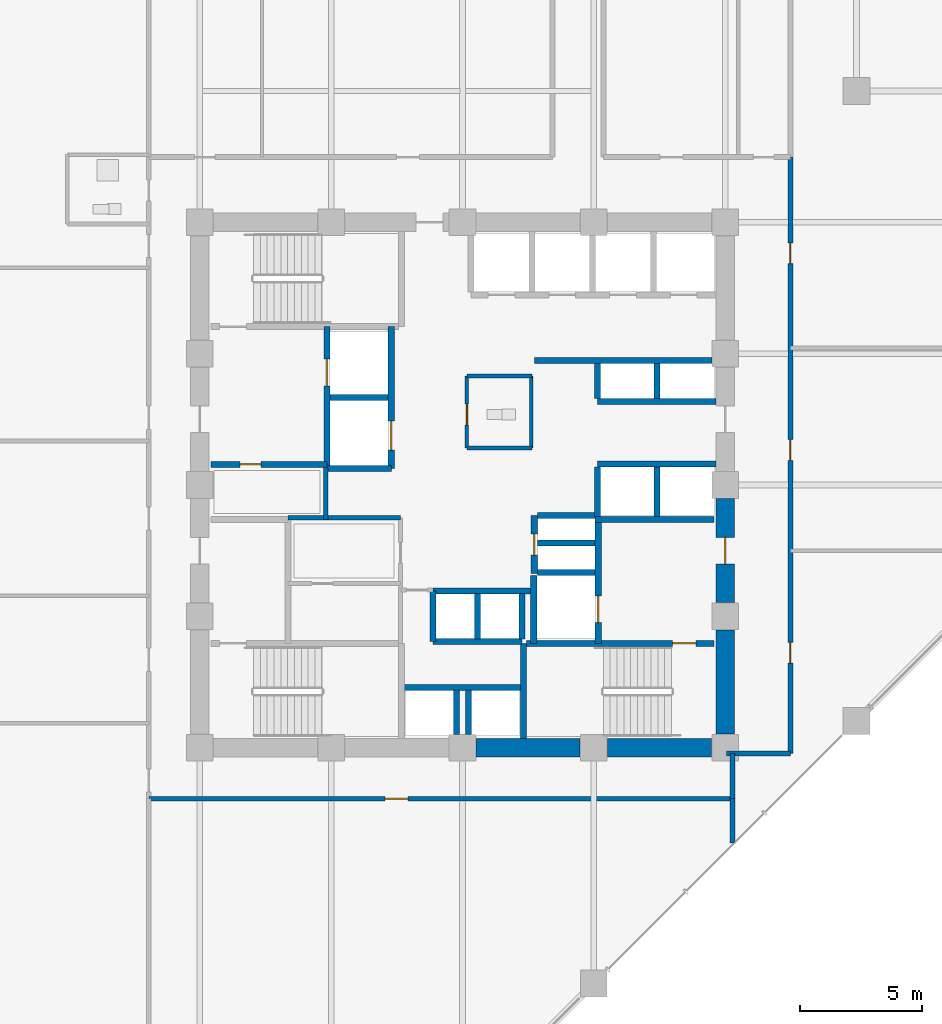
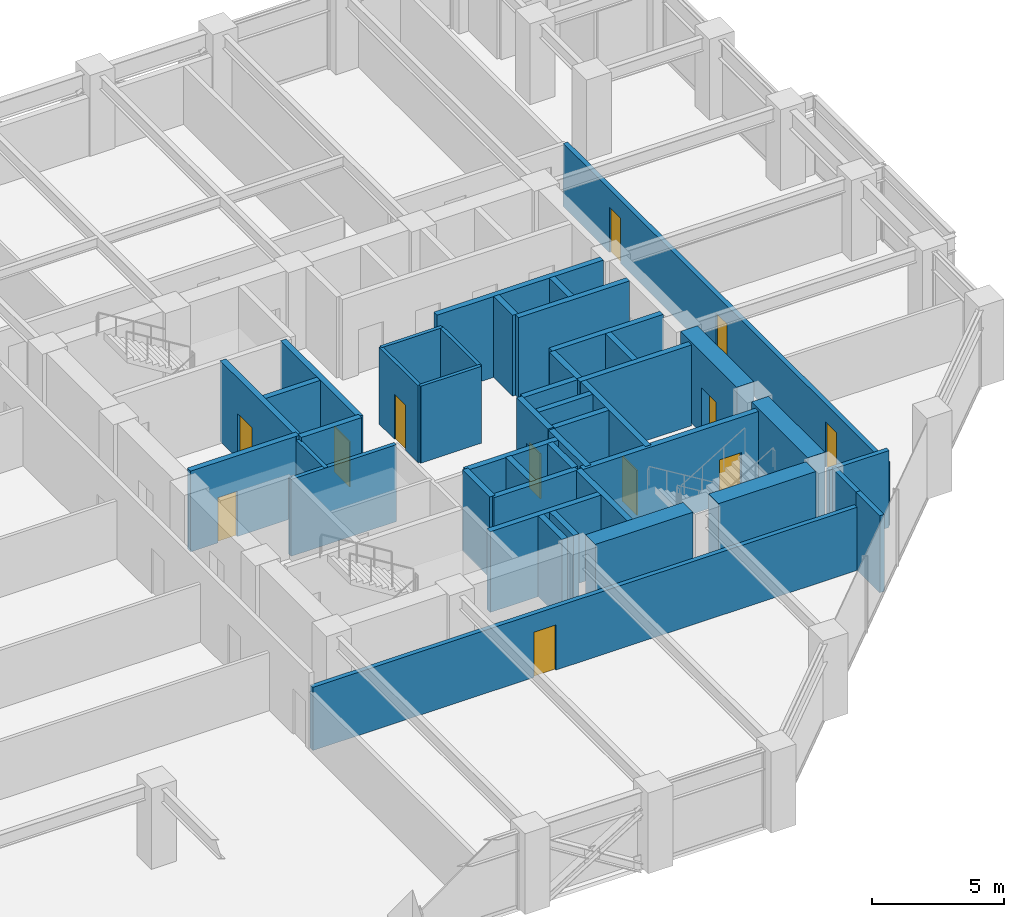
# One storey, part 21 of 26: 44 walls, 12 doors, 12 openings.
"""IFC4 building model written with IfcOpenShell, lengths in metres."""

from ifc_helpers import new_model, si_unit, direction, frame, frame_2d, origin, place, context, subcontext, project, spatial, rectangle, extrude, material, layer, layer_set, type_object, element, fill, save


model = new_model("IFC4")

# Units and contexts
model_context = context("Model", 3, precision=1e-05, world=origin(), true_north=direction((0.0, 1.0)))
body_context = subcontext(model_context, "Body", "Model", "MODEL_VIEW")
ifc_project = project(units=[si_unit("LENGTHUNIT", "METRE"), si_unit("AREAUNIT", "SQUARE_METRE"), si_unit("VOLUMEUNIT", "CUBIC_METRE"), si_unit("PLANEANGLEUNIT", "RADIAN"), si_unit("MASSUNIT", "GRAM", prefix="KILO")], contexts=[model_context])

# Site, building, storey
site_placement = place(None, origin())
site = spatial("IfcSite", under=ifc_project, at=site_placement, CompositionType="ELEMENT")
building_placement = place(site_placement, origin())
building = spatial("IfcBuilding", under=site, at=building_placement, Name="Surkhivell Harbour Commons", CompositionType="ELEMENT")
storey_placement = place(building_placement, frame((0.0, 0.0, 102.0)))
storey = spatial("IfcBuildingStorey", under=building, at=storey_placement, Name="L26", CompositionType="ELEMENT", Elevation=102.0)

# Wall
ifc_material_1 = material(Name="Concrete C60/75", Category="concrete")
ifc_layer_1 = layer(ifc_material_1, 0.75)
ifc_layer_set_1 = layer_set([ifc_layer_1], Name="Concrete C60/75")
wall_type_1 = type_object("IfcWallType", Name="WAL-CORE-750", PredefinedType="SHEAR", material=ifc_layer_set_1)
wall_1_placement = place(storey_placement, frame((10.800048828125, -10.239990234375, 0.0), z_axis=(0.0, 0.0, 1.0), x_axis=(0.0, 1.0, 0.0)))
element("IfcWall", 1, at=wall_1_placement, inside=storey, type_object=wall_type_1, Name="L26 Core Shear Wall East 1", PredefinedType="SHEAR", context=body_context, shape_type="SweptSolid", body=[
    extrude(rectangle(XDim=4.280029296875, YDim=0.75, at=frame_2d((2.14013671875, 0.0))), origin(), (0.0, 0.0, 1.0), 3.75),
])

# Wall, opening, door
wall_2_placement = place(storey_placement, frame((10.800048828125, -4.840087890625, 0.0), z_axis=(0.0, 0.0, 1.0), x_axis=(0.0, 1.0, 0.0)))
wall_2 = element("IfcWall", 2, at=wall_2_placement, inside=storey, type_object=wall_type_1, Name="L26 Core Shear Wall East 2", PredefinedType="SHEAR", context=body_context, shape_type="SweptSolid", body=[
    extrude(rectangle(XDim=4.280029296875, YDim=0.75, at=frame_2d((2.14013671875, 0.0))), origin(), (0.0, 0.0, 1.0), 3.75),
])
opening_1_placement = place(wall_2_placement, frame((1.590087890625, 0.0, 0.0)))
opening_1 = element("IfcOpeningElement", 3, at=opening_1_placement, cuts=wall_2, Name="Opening ID-1", PredefinedType="OPENING", context=body_context, shape_type="SweptSolid", body=[
    extrude(rectangle(XDim=1.10009765625, YDim=2.10009765625, at=frame_2d((0.550048828125, 1.050048828125))), frame((0.0, 0.385009765625, 0.0), z_axis=(0.0, -1.0, 0.0), x_axis=(1.0, 0.0, 0.0)), (0.0, 0.0, 1.0), 0.77001953125),
])
ifc_material_2 = material(Name="Hardwood-veneered fire-rated door leaf", Category="wood")
door_type_1 = type_object("IfcDoorType", Name="DOR-FD120-1100", OperationType="NOTDEFINED", PredefinedType="DOOR", material=ifc_material_2)
door_1_placement = place(opening_1_placement, origin())
door_1 = element("IfcDoor", 4, at=door_1_placement, inside=storey, type_object=door_type_1, Name="L26 Firefighting Lobby 2 Corridor Door", OperationType="SINGLE_SWING_RIGHT", OverallHeight=2.10009765625, OverallWidth=1.10009765625, PredefinedType="DOOR", context=body_context, shape_type="SweptSolid", body=[
    extrude(rectangle(XDim=1.10009765625, YDim=2.10009765625, at=frame_2d((0.550048828125, 1.050048828125))), frame((0.0, 0.02490234375, 0.0), z_axis=(0.0, -1.0, 0.0), x_axis=(1.0, 0.0, 0.0)), (0.0, 0.0, 1.0), 0.050048828125),
])
fill(opening_1, door_1)

# Walls
for number, where, z_axis, x_axis, name in (
    (5, (0.56005859375, -10.800048828125, 0.0), (0.0, 0.0, 1.0), (1.0, 0.0, 0.0), "L26 Core Shear Wall South 3"),
    (6, (5.9599609375, -10.800048828125, 0.0), (0.0, 0.0, 1.0), (1.0, 0.0, 0.0), "L26 Core Shear Wall South 4"),
):
    element("IfcWall", number, at=place(storey_placement, frame(where, z_axis=z_axis, x_axis=x_axis)), inside=storey, type_object=wall_type_1, Name=name, PredefinedType="SHEAR", context=body_context, shape_type="SweptSolid", body=[
        extrude(rectangle(XDim=4.280029296875, YDim=0.75, at=frame_2d((2.14013671875, 0.0))), origin(), (0.0, 0.0, 1.0), 3.75),
    ])
ifc_material_3 = material(Name="Twin-stud acoustic fireboard partition", Category="other")
ifc_layer_2 = layer(ifc_material_3, 0.14990234375)
ifc_layer_set_2 = layer_set([ifc_layer_2], Name="Twin-stud acoustic fireboard partition")
wall_type_2 = type_object("IfcWallType", Name="WAL-INT-150", PredefinedType="PARTITIONING", material=ifc_layer_set_2)
wall_3_placement = place(storey_placement, frame((2.820068359375, 1.52001953125, 0.0), z_axis=(0.0, 0.0, 1.0), x_axis=(0.0, 1.0, 0.0)))
element("IfcWall", 7, at=wall_3_placement, inside=storey, type_object=wall_type_2, Name="L26 Core Accessible WC East Wall", PredefinedType="PARTITIONING", context=body_context, shape_type="SweptSolid", body=[
    extrude(rectangle(XDim=2.9599609375, YDim=0.14990234375, at=frame_2d((1.47998046875, 0.0))), origin(), (0.0, 0.0, 1.0), 3.570068359375),
])
for number, where, z_axis, x_axis, name in (
    (8, (0.179931640625, 4.47998046875, 0.0), (0.0, 0.0, 1.0), (1.0, 0.0, 0.0), "L26 Core Accessible WC North Wall"),
    (9, (0.179931640625, 1.52001953125, 0.0), (0.0, 0.0, 1.0), (1.0, 0.0, 0.0), "L26 Core Accessible WC South Wall"),
):
    element("IfcWall", number, at=place(storey_placement, frame(where, z_axis=z_axis, x_axis=x_axis)), inside=storey, type_object=wall_type_2, Name=name, PredefinedType="PARTITIONING", context=body_context, shape_type="SweptSolid", body=[
        extrude(rectangle(XDim=2.670166015625, YDim=0.14990234375, at=frame_2d((1.3349609375, 0.0))), origin(), (0.0, 0.0, 1.0), 3.570068359375),
    ])

# Wall, opening, door
wall_4_placement = place(storey_placement, frame((0.179931640625, 1.52001953125, 0.0), z_axis=(0.0, 0.0, 1.0), x_axis=(0.0, 1.0, 0.0)))
wall_4 = element("IfcWall", 10, at=wall_4_placement, inside=storey, type_object=wall_type_2, Name="L26 Core Accessible WC West Wall", PredefinedType="PARTITIONING", context=body_context, shape_type="SweptSolid", body=[
    extrude(rectangle(XDim=2.9599609375, YDim=0.14990234375, at=frame_2d((1.47998046875, 0.0))), origin(), (0.0, 0.0, 1.0), 3.570068359375),
])
opening_2_placement = place(wall_4_placement, frame((0.949951171875, 0.0, 0.0)))
opening_2 = element("IfcOpeningElement", 11, at=opening_2_placement, cuts=wall_4, Name="Opening ID-6", PredefinedType="OPENING", context=body_context, shape_type="SweptSolid", body=[
    extrude(rectangle(XDim=0.85009765625, YDim=2.10009765625, at=frame_2d((0.425048828125, 1.050048828125))), frame((0.0, 0.0849609375, 0.0), z_axis=(0.0, -1.0, 0.0), x_axis=(1.0, 0.0, 0.0)), (0.0, 0.0, 1.0), 0.169921875),
])
door_type_2 = type_object("IfcDoorType", Name="DOR-FD30-850", OperationType="NOTDEFINED", PredefinedType="DOOR", material=ifc_material_2)
door_2_placement = place(opening_2_placement, origin())
door_2 = element("IfcDoor", 12, at=door_2_placement, inside=storey, type_object=door_type_2, Name="L26 Floor Accessible WC Door", OperationType="SINGLE_SWING_RIGHT", OverallHeight=2.10009765625, OverallWidth=0.85009765625, PredefinedType="DOOR", context=body_context, shape_type="SweptSolid", body=[
    extrude(rectangle(XDim=0.85009765625, YDim=2.10009765625, at=frame_2d((0.425048828125, 1.050048828125))), frame((0.0, 0.02490234375, 0.0), z_axis=(0.0, -1.0, 0.0), x_axis=(1.0, 0.0, 0.0)), (0.0, 0.0, 1.0), 0.050048828125),
])
fill(opening_2, door_2)

# Walls
ifc_material_4 = material(Name="High-density acoustic blockwork fire partition", Category="masonry")
ifc_layer_3 = layer(ifc_material_4, 0.175048828125)
ifc_layer_set_3 = layer_set([ifc_layer_3], Name="High-density acoustic blockwork fire partition")
wall_type_3 = type_object("IfcWallType", Name="WAL-INT-175", PredefinedType="PARTITIONING", material=ifc_layer_set_3)
wall_5_placement = place(storey_placement, frame((-7.179931640625, -1.35009765625, 0.0), z_axis=(0.0, 0.0, 1.0), x_axis=(1.0, 0.0, 0.0)))
element("IfcWall", 13, at=wall_5_placement, inside=storey, type_object=wall_type_3, Name="L26 Core Service Bay North Wall", PredefinedType="PARTITIONING", context=body_context, shape_type="SweptSolid", body=[
    extrude(rectangle(XDim=4.6298828125, YDim=0.175048828125, at=frame_2d((2.31494140625, 0.0))), origin(), (0.0, 0.0, 1.0), 3.570068359375),
])
wall_6_placement = place(storey_placement, frame((-5.6201171875, -1.419921875, 0.0), z_axis=(0.0, 0.0, 1.0), x_axis=(0.0, 1.0, 0.0)))
element("IfcWall", 14, at=wall_6_placement, inside=storey, type_object=wall_type_3, Name="L26 West Core Bay East Wall", PredefinedType="PARTITIONING", context=body_context, shape_type="SweptSolid", body=[
    extrude(rectangle(XDim=2.139892578125, YDim=0.175048828125, at=frame_2d((1.06982421875, 0.0))), origin(), (0.0, 0.0, 1.0), 3.570068359375),
])
ifc_material_5 = material(Name="Autoclaved aerated concrete blockwork and fire plaster", Category="masonry")
ifc_layer_4 = layer(ifc_material_5, 0.199951171875)
ifc_layer_set_4 = layer_set([ifc_layer_4], Name="Autoclaved aerated concrete blockwork and fire plaster")
wall_type_4 = type_object("IfcWallType", Name="WAL-INT-200", PredefinedType="PARTITIONING", material=ifc_layer_set_4)
wall_7_placement = place(storey_placement, frame((11.10009765625, -14.715087890625, 0.0), z_axis=(0.0, 0.0, 1.0), x_axis=(0.0, 1.0, 0.0)))
element("IfcWall", 15, at=wall_7_placement, inside=storey, type_object=wall_type_4, Name="L26 South-East Wing Corner Divider", PredefinedType="PARTITIONING", context=body_context, shape_type="SweptSolid", body=[
    extrude(rectangle(XDim=1.815185546875, YDim=0.199951171875, at=frame_2d((0.90771484375, 0.0))), origin(), (0.0, 0.0, 1.0), 3.570068359375),
])

# Wall, openings, doors
wall_8_placement = place(storey_placement, frame((13.47998046875, -11.0400390625, 0.0), z_axis=(0.0, 0.0, 1.0), x_axis=(0.0, 1.0, 0.0)))
wall_8 = element("IfcWall", 16, at=wall_8_placement, inside=storey, type_object=wall_type_4, Name="L26 Corridor East Wall", PredefinedType="PARTITIONING", context=body_context, shape_type="SweptSolid", body=[
    extrude(rectangle(XDim=24.52001953125, YDim=0.199951171875, at=frame_2d((12.260009765625, 0.0))), origin(), (0.0, 0.0, 1.0), 2.93310546875),
])
opening_3_placement = place(wall_8_placement, frame((3.719970703125, 0.0, 0.0)))
opening_3 = element("IfcOpeningElement", 17, at=opening_3_placement, cuts=wall_8, Name="Opening ID-6", PredefinedType="OPENING", context=body_context, shape_type="SweptSolid", body=[
    extrude(rectangle(XDim=0.85009765625, YDim=2.10009765625, at=frame_2d((0.425048828125, 1.050048828125))), frame((0.0, 0.10986328125, 0.0), z_axis=(0.0, -1.0, 0.0), x_axis=(1.0, 0.0, 0.0)), (0.0, 0.0, 1.0), 0.219970703125),
])
opening_4_placement = place(wall_8_placement, frame((12.054931640625, 0.0, 0.0)))
opening_4 = element("IfcOpeningElement", 18, at=opening_4_placement, cuts=wall_8, Name="Opening ID-6", PredefinedType="OPENING", context=body_context, shape_type="SweptSolid", body=[
    extrude(rectangle(XDim=0.85009765625, YDim=2.10009765625, at=frame_2d((0.425048828125, 1.050048828125))), frame((0.0, 0.10986328125, 0.0), z_axis=(0.0, -1.0, 0.0), x_axis=(1.0, 0.0, 0.0)), (0.0, 0.0, 1.0), 0.219970703125),
])
opening_5_placement = place(wall_8_placement, frame((20.14501953125, 0.0, 0.0)))
opening_5 = element("IfcOpeningElement", 19, at=opening_5_placement, cuts=wall_8, Name="Opening ID-6", PredefinedType="OPENING", context=body_context, shape_type="SweptSolid", body=[
    extrude(rectangle(XDim=0.85009765625, YDim=2.10009765625, at=frame_2d((0.425048828125, 1.050048828125))), frame((0.0, 0.10986328125, 0.0), z_axis=(0.0, -1.0, 0.0), x_axis=(1.0, 0.0, 0.0)), (0.0, 0.0, 1.0), 0.219970703125),
])
door_3_placement = place(opening_3_placement, origin())
door_3 = element("IfcDoor", 20, at=door_3_placement, inside=storey, type_object=door_type_2, Name="L26 Academic Seminar Room 1 East Door", OperationType="SINGLE_SWING_RIGHT", OverallHeight=2.10009765625, OverallWidth=0.85009765625, PredefinedType="DOOR", context=body_context, shape_type="SweptSolid", body=[
    extrude(rectangle(XDim=0.85009765625, YDim=2.10009765625, at=frame_2d((0.425048828125, 1.050048828125))), frame((0.0, 0.02490234375, 0.0), z_axis=(0.0, -1.0, 0.0), x_axis=(1.0, 0.0, 0.0)), (0.0, 0.0, 1.0), 0.050048828125),
])
fill(opening_3, door_3)
door_4_placement = place(opening_4_placement, origin())
door_4 = element("IfcDoor", 21, at=door_4_placement, inside=storey, type_object=door_type_2, Name="L26 Academic Seminar Room 2 East Door", OperationType="SINGLE_SWING_LEFT", OverallHeight=2.10009765625, OverallWidth=0.85009765625, PredefinedType="DOOR", context=body_context, shape_type="SweptSolid", body=[
    extrude(rectangle(XDim=0.85009765625, YDim=2.10009765625, at=frame_2d((0.425048828125, 1.050048828125))), frame((0.0, 0.02490234375, 0.0), z_axis=(0.0, -1.0, 0.0), x_axis=(1.0, 0.0, 0.0)), (0.0, 0.0, 1.0), 0.050048828125),
])
fill(opening_4, door_4)
door_5_placement = place(opening_5_placement, origin())
door_5 = element("IfcDoor", 22, at=door_5_placement, inside=storey, type_object=door_type_2, Name="L26 Academic Seminar Room 3 East Door", OperationType="SINGLE_SWING_RIGHT", OverallHeight=2.10009765625, OverallWidth=0.85009765625, PredefinedType="DOOR", context=body_context, shape_type="SweptSolid", body=[
    extrude(rectangle(XDim=0.85009765625, YDim=2.10009765625, at=frame_2d((0.425048828125, 1.050048828125))), frame((0.0, 0.02490234375, 0.0), z_axis=(0.0, -1.0, 0.0), x_axis=(1.0, 0.0, 0.0)), (0.0, 0.0, 1.0), 0.050048828125),
])
fill(opening_5, door_5)

# Wall
wall_9_placement = place(storey_placement, frame((10.85009765625, -11.0400390625, 0.0), z_axis=(0.0, 0.0, 1.0), x_axis=(1.0, 0.0, 0.0)))
element("IfcWall", 23, at=wall_9_placement, inside=storey, type_object=wall_type_4, Name="L26 Corridor East South Closure Wall", PredefinedType="PARTITIONING", context=body_context, shape_type="SweptSolid", body=[
    extrude(rectangle(XDim=2.6298828125, YDim=0.199951171875, at=frame_2d((1.31494140625, 0.0))), origin(), (0.0, 0.0, 1.0), 3.570068359375),
])

# Wall, opening, door
wall_10_placement = place(storey_placement, frame((-12.89990234375, -12.89990234375, 0.0), z_axis=(0.0, 0.0, 1.0), x_axis=(1.0, 0.0, 0.0)))
wall_10 = element("IfcWall", 24, at=wall_10_placement, inside=storey, type_object=wall_type_4, Name="L26 Corridor South Wall", PredefinedType="PARTITIONING", context=body_context, shape_type="SweptSolid", body=[
    extrude(rectangle(XDim=24.0, YDim=0.199951171875, at=frame_2d((12.0, 0.0))), origin(), (0.0, 0.0, 1.0), 2.93310546875),
])
opening_6_placement = place(wall_10_placement, frame((9.7177734375, 0.0, 0.0)))
opening_6 = element("IfcOpeningElement", 25, at=opening_6_placement, cuts=wall_10, Name="Opening ID-4", PredefinedType="OPENING", context=body_context, shape_type="SweptSolid", body=[
    extrude(rectangle(XDim=0.949951171875, YDim=2.10009765625, at=frame_2d((0.47509765625, 1.050048828125))), frame((0.0, 0.10986328125, 0.0), z_axis=(0.0, -1.0, 0.0), x_axis=(1.0, 0.0, 0.0)), (0.0, 0.0, 1.0), 0.219970703125),
])
door_type_3 = type_object("IfcDoorType", Name="DOR-FD60-950", OperationType="NOTDEFINED", PredefinedType="DOOR", material=ifc_material_2)
door_6_placement = place(opening_6_placement, origin())
door_6 = element("IfcDoor", 26, at=door_6_placement, inside=storey, type_object=door_type_3, Name="L26 Open Academic Study Commons Reading Library South Door", OperationType="SINGLE_SWING_LEFT", OverallHeight=2.10009765625, OverallWidth=0.949951171875, PredefinedType="DOOR", context=body_context, shape_type="SweptSolid", body=[
    extrude(rectangle(XDim=0.949951171875, YDim=2.10009765625, at=frame_2d((0.47509765625, 1.050048828125))), frame((0.0, 0.02490234375, 0.0), z_axis=(0.0, -1.0, 0.0), x_axis=(1.0, 0.0, 0.0)), (0.0, 0.0, 1.0), 0.050048828125),
])
fill(opening_6, door_6)

# Wall
wall_11_placement = place(storey_placement, frame((11.10009765625, -12.89990234375, 0.0), z_axis=(0.0, 0.0, 1.0), x_axis=(0.0, 1.0, 0.0)))
element("IfcWall", 27, at=wall_11_placement, inside=storey, type_object=wall_type_4, Name="L26 Corridor SE Closure Wall", PredefinedType="PARTITIONING", context=body_context, shape_type="SweptSolid", body=[
    extrude(rectangle(XDim=1.85986328125, YDim=0.199951171875, at=frame_2d((0.929931640625, 0.0))), origin(), (0.0, 0.0, 1.0), 3.570068359375),
])

# Wall, opening, door
ifc_material_6 = material(Name="Concrete C50/60", Category="concrete")
ifc_layer_5 = layer(ifc_material_6, 0.25)
ifc_layer_set_5 = layer_set([ifc_layer_5], Name="Concrete C50/60")
wall_type_5 = type_object("IfcWallType", Name="WAL-SHAFT-250", PredefinedType="SHEAR", material=ifc_layer_set_5)
wall_12_placement = place(storey_placement, frame((-5.580078125, 0.719970703125, 0.0), z_axis=(0.0, 0.0, 1.0), x_axis=(0.0, 1.0, 0.0)))
wall_12 = element("IfcWall", 28, at=wall_12_placement, inside=storey, type_object=wall_type_5, Name="L26 Firefighting Lobby 1 East Shaft Wall", PredefinedType="SHEAR", context=body_context, shape_type="SweptSolid", body=[
    extrude(rectangle(XDim=5.7900390625, YDim=0.25, at=frame_2d((2.89501953125, 0.0))), origin(), (0.0, 0.0, 1.0), 3.75),
])
opening_7_placement = place(wall_12_placement, frame((3.35009765625, 0.0, 0.0)))
opening_7 = element("IfcOpeningElement", 29, at=opening_7_placement, cuts=wall_12, Name="Opening LD-1", PredefinedType="OPENING", context=body_context, shape_type="SweptSolid", body=[
    extrude(rectangle(XDim=1.10009765625, YDim=2.10009765625, at=frame_2d((0.550048828125, 1.050048828125))), frame((0.0, 0.135009765625, 0.0), z_axis=(0.0, -1.0, 0.0), x_axis=(1.0, 0.0, 0.0)), (0.0, 0.0, 1.0), 0.27001953125),
])
ifc_material_7 = material(Name="Brushed stainless steel S355", Category="steel")
door_type_4 = type_object("IfcDoorType", Name="DOR-LD-1100", OperationType="SLIDING_TO_LEFT", PredefinedType="DOOR", material=ifc_material_7)
door_7_placement = place(opening_7_placement, origin())
door_7 = element("IfcDoor", 30, at=door_7_placement, inside=storey, type_object=door_type_4, Name="L26 Lift Landing Door LD-FFL1", OperationType="SLIDING_TO_LEFT", OverallHeight=2.10009765625, OverallWidth=1.10009765625, PredefinedType="DOOR", context=body_context, shape_type="SweptSolid", body=[
    extrude(rectangle(XDim=1.10009765625, YDim=2.10009765625, at=frame_2d((0.550048828125, 1.050048828125))), frame((0.0, 0.02490234375, 0.0), z_axis=(0.0, -1.0, 0.0), x_axis=(1.0, 0.0, 0.0)), (0.0, 0.0, 1.0), 0.050048828125),
])
fill(opening_7, door_7)

wall_13_placement = place(storey_placement, frame((-10.340087890625, 0.85009765625, 0.0), z_axis=(0.0, 0.0, 1.0), x_axis=(1.0, 0.0, 0.0)))
wall_13 = element("IfcWall", 31, at=wall_13_placement, inside=storey, type_object=wall_type_5, Name="L26 Firefighting Lobby 1 South Wall", PredefinedType="SHEAR", context=body_context, shape_type="SweptSolid", body=[
    extrude(rectangle(XDim=4.760009765625, YDim=0.25, at=frame_2d((2.3798828125, 0.0))), origin(), (0.0, 0.0, 1.0), 3.75),
])
opening_8_placement = place(wall_13_placement, frame((1.199951171875, 0.0, 0.0)))
opening_8 = element("IfcOpeningElement", 32, at=opening_8_placement, cuts=wall_13, Name="Opening ID-6", PredefinedType="OPENING", context=body_context, shape_type="SweptSolid", body=[
    extrude(rectangle(XDim=0.85009765625, YDim=2.10009765625, at=frame_2d((0.425048828125, 1.050048828125))), frame((0.0, 0.135009765625, 0.0), z_axis=(0.0, -1.0, 0.0), x_axis=(1.0, 0.0, 0.0)), (0.0, 0.0, 1.0), 0.27001953125),
])
door_8_placement = place(opening_8_placement, origin())
door_8 = element("IfcDoor", 33, at=door_8_placement, inside=storey, type_object=door_type_2, Name="L26 West Quiet Study Door", OperationType="SINGLE_SWING_RIGHT", OverallHeight=2.10009765625, OverallWidth=0.85009765625, PredefinedType="DOOR", context=body_context, shape_type="SweptSolid", body=[
    extrude(rectangle(XDim=0.85009765625, YDim=2.10009765625, at=frame_2d((0.425048828125, 1.050048828125))), frame((0.0, 0.02490234375, 0.0), z_axis=(0.0, -1.0, 0.0), x_axis=(1.0, 0.0, 0.0)), (0.0, 0.0, 1.0), 0.050048828125),
])
fill(opening_8, door_8)

# Walls
wall_14_placement = place(storey_placement, frame((2.929931640625, -6.510009765625, 0.0), z_axis=(0.0, 0.0, 1.0), x_axis=(0.0, 1.0, 0.0)))
element("IfcWall", 34, at=wall_14_placement, inside=storey, type_object=wall_type_5, Name="L26 FFL2 West Shaft Wall", PredefinedType="SHEAR", context=body_context, shape_type="SweptSolid", body=[
    extrude(rectangle(XDim=2.7900390625, YDim=0.25, at=frame_2d((1.39501953125, 0.0))), origin(), (0.0, 0.0, 1.0), 3.75),
])
wall_15_placement = place(storey_placement, frame((5.43994140625, -1.419921875, 0.0), z_axis=(0.0, 0.0, 1.0), x_axis=(1.0, 0.0, 0.0)))
element("IfcWall", 35, at=wall_15_placement, inside=storey, type_object=wall_type_5, Name="L26 Firefighting Lobby 2 North Wall", PredefinedType="SHEAR", context=body_context, shape_type="SweptSolid", body=[
    extrude(rectangle(XDim=4.900146484375, YDim=0.25, at=frame_2d((2.4501953125, 0.0))), origin(), (0.0, 0.0, 1.0), 3.75),
])
wall_16_placement = place(storey_placement, frame((3.080078125, -3.60009765625, 0.0), z_axis=(0.0, 0.0, 1.0), x_axis=(1.0, 0.0, 0.0)))
element("IfcWall", 36, at=wall_16_placement, inside=storey, type_object=wall_type_5, Name="L26 FFL2 North Shaft Wall", PredefinedType="SHEAR", context=body_context, shape_type="SweptSolid", body=[
    extrude(rectangle(XDim=2.369873046875, YDim=0.25, at=frame_2d((1.18505859375, 0.0))), origin(), (0.0, 0.0, 1.0), 3.75),
])

# Wall, opening, door
wall_17_placement = place(storey_placement, frame((5.580078125, -6.510009765625, 0.0), z_axis=(0.0, 0.0, 1.0), x_axis=(0.0, 1.0, 0.0)))
wall_17 = element("IfcWall", 37, at=wall_17_placement, inside=storey, type_object=wall_type_5, Name="L26 Firefighting Lobby 2 West Shaft Wall", PredefinedType="SHEAR", context=body_context, shape_type="SweptSolid", body=[
    extrude(rectangle(XDim=5.090087890625, YDim=0.25, at=frame_2d((2.544921875, 0.0))), origin(), (0.0, 0.0, 1.0), 3.75),
])
opening_9_placement = place(wall_17_placement, frame((0.85009765625, 0.0, 0.0)))
opening_9 = element("IfcOpeningElement", 38, at=opening_9_placement, cuts=wall_17, Name="Opening LD-1", PredefinedType="OPENING", context=body_context, shape_type="SweptSolid", body=[
    extrude(rectangle(XDim=1.10009765625, YDim=2.10009765625, at=frame_2d((0.550048828125, 1.050048828125))), frame((0.0, 0.135009765625, 0.0), z_axis=(0.0, -1.0, 0.0), x_axis=(1.0, 0.0, 0.0)), (0.0, 0.0, 1.0), 0.27001953125),
])
door_9_placement = place(opening_9_placement, origin())
door_9 = element("IfcDoor", 39, at=door_9_placement, inside=storey, type_object=door_type_4, Name="L26 Lift Landing Door LD-FFL2", OperationType="SLIDING_TO_RIGHT", OverallHeight=2.10009765625, OverallWidth=1.10009765625, PredefinedType="DOOR", context=body_context, shape_type="SweptSolid", body=[
    extrude(rectangle(XDim=1.10009765625, YDim=2.10009765625, at=frame_2d((0.550048828125, 1.050048828125))), frame((0.0, 0.02490234375, 0.0), z_axis=(0.0, -1.0, 0.0), x_axis=(1.0, 0.0, 0.0)), (0.0, 0.0, 1.0), 0.050048828125),
])
fill(opening_9, door_9)

# Walls
for number, where, z_axis, x_axis, name in (
    (40, (0.6201171875, -6.340087890625, 0.0), (0.0, 0.0, 1.0), (0.0, 1.0, 0.0), "L26 High-Rise Side Wall N"),
    (41, (2.449951171875, -6.340087890625, 0.0), (0.0, 0.0, 1.0), (0.0, 1.0, 0.0), "L26 High-Rise Side Wall N"),
):
    element("IfcWall", number, at=place(storey_placement, frame(where, z_axis=z_axis, x_axis=x_axis)), inside=storey, type_object=wall_type_5, Name=name, PredefinedType="SHEAR", context=body_context, shape_type="SweptSolid", body=[
        extrude(rectangle(XDim=1.880126953125, YDim=0.25, at=frame_2d((0.93994140625, 0.0))), origin(), (0.0, 0.0, 1.0), 3.75),
    ])
for number, where, z_axis, x_axis, name in (
    (42, (-0.25, -10.25, 0.0), (0.0, 0.0, 1.0), (0.0, 1.0, 0.0), "L26 High-Rise Side Wall S"),
    (43, (0.25, -10.25, 0.0), (0.0, 0.0, 1.0), (0.0, 1.0, 0.0), "L26 High-Rise Side Wall S"),
):
    element("IfcWall", number, at=place(storey_placement, frame(where, z_axis=z_axis, x_axis=x_axis)), inside=storey, type_object=wall_type_5, Name=name, PredefinedType="SHEAR", context=body_context, shape_type="SweptSolid", body=[
        extrude(rectangle(XDim=1.81005859375, YDim=0.25, at=frame_2d((0.905029296875, 0.0))), origin(), (0.0, 0.0, 1.0), 3.75),
    ])
wall_18_placement = place(storey_placement, frame((-1.219970703125, -6.43994140625, 0.0), z_axis=(0.0, 0.0, 1.0), x_axis=(0.0, 1.0, 0.0)))
element("IfcWall", 44, at=wall_18_placement, inside=storey, type_object=wall_type_5, Name="L26 High-Rise Passage East Shaft Wall", PredefinedType="SHEAR", context=body_context, shape_type="SweptSolid", body=[
    extrude(rectangle(XDim=2.079833984375, YDim=0.25, at=frame_2d((1.0400390625, 0.0))), origin(), (0.0, 0.0, 1.0), 3.75),
])
wall_19_placement = place(storey_placement, frame((-1.219970703125, -6.43994140625, 0.0), z_axis=(0.0, 0.0, 1.0), x_axis=(1.0, 0.0, 0.0)))
element("IfcWall", 45, at=wall_19_placement, inside=storey, type_object=wall_type_5, Name="L26 High-Rise North Front Shaft Wall", PredefinedType="SHEAR", context=body_context, shape_type="SweptSolid", body=[
    extrude(rectangle(XDim=3.669921875, YDim=0.25, at=frame_2d((1.8349609375, 0.0))), origin(), (0.0, 0.0, 1.0), 3.75),
])
wall_20_placement = place(storey_placement, frame((-2.47998046875, -8.320068359375, 0.0), z_axis=(0.0, 0.0, 1.0), x_axis=(1.0, 0.0, 0.0)))
element("IfcWall", 46, at=wall_20_placement, inside=storey, type_object=wall_type_5, Name="L26 High-Rise South Front Shaft Wall", PredefinedType="SHEAR", context=body_context, shape_type="SweptSolid", body=[
    extrude(rectangle(XDim=4.929931640625, YDim=0.25, at=frame_2d((2.46484375, 0.0))), origin(), (0.0, 0.0, 1.0), 3.75),
])
wall_21_placement = place(storey_placement, frame((-1.219970703125, -4.360107421875, 0.0), z_axis=(0.0, 0.0, 1.0), x_axis=(1.0, 0.0, 0.0)))
element("IfcWall", 47, at=wall_21_placement, inside=storey, type_object=wall_type_5, Name="L26 High-Rise North Back Shaft Wall", PredefinedType="SHEAR", context=body_context, shape_type="SweptSolid", body=[
    extrude(rectangle(XDim=4.030029296875, YDim=0.25, at=frame_2d((2.01513671875, 0.0))), origin(), (0.0, 0.0, 1.0), 3.75),
])
wall_22_placement = place(storey_placement, frame((2.949951171875, 5.1201171875, 0.0), z_axis=(0.0, 0.0, 1.0), x_axis=(1.0, 0.0, 0.0)))
element("IfcWall", 48, at=wall_22_placement, inside=storey, type_object=wall_type_5, Name="L26 Low-Rise Lobby South Wall", PredefinedType="SHEAR", context=body_context, shape_type="SweptSolid", body=[
    extrude(rectangle(XDim=7.300048828125, YDim=0.25, at=frame_2d((3.64990234375, 0.0))), origin(), (0.0, 0.0, 1.0), 3.75),
])
for number, where, z_axis, x_axis, name in (
    (49, (5.550048828125, 3.550048828125, 0.0), (0.0, 0.0, 1.0), (0.0, 1.0, 0.0), "L26 Mid-Rise Shaft Side Wall N"),
    (50, (8.0, 3.550048828125, 0.0), (0.0, 0.0, 1.0), (0.0, 1.0, 0.0), "L26 Mid-Rise Shaft Side Wall N"),
):
    element("IfcWall", number, at=place(storey_placement, frame(where, z_axis=z_axis, x_axis=x_axis)), inside=storey, type_object=wall_type_5, Name=name, PredefinedType="SHEAR", context=body_context, shape_type="SweptSolid", body=[
        extrude(rectangle(XDim=1.449951171875, YDim=0.25, at=frame_2d((0.72509765625, 0.0))), origin(), (0.0, 0.0, 1.0), 3.75),
    ])
for number, where, z_axis, x_axis, name in (
    (51, (5.550048828125, -1.300048828125, 0.0), (0.0, 0.0, 1.0), (0.0, 1.0, 0.0), "L26 Mid-Rise Shaft Side Wall S"),
    (52, (8.0, -1.300048828125, 0.0), (0.0, 0.0, 1.0), (0.0, 1.0, 0.0), "L26 Mid-Rise Shaft Side Wall S"),
):
    element("IfcWall", number, at=place(storey_placement, frame(where, z_axis=z_axis, x_axis=x_axis)), inside=storey, type_object=wall_type_5, Name=name, PredefinedType="SHEAR", context=body_context, shape_type="SweptSolid", body=[
        extrude(rectangle(XDim=2.0400390625, YDim=0.25, at=frame_2d((1.02001953125, 0.0))), origin(), (0.0, 0.0, 1.0), 3.75),
    ])
for number, where, z_axis, x_axis, name in (
    (53, (5.550048828125, 3.429931640625, 0.0), (0.0, 0.0, 1.0), (1.0, 0.0, 0.0), "L26 Mid-Rise North Front Shaft Wall"),
    (54, (5.550048828125, 0.8701171875, 0.0), (0.0, 0.0, 1.0), (1.0, 0.0, 0.0), "L26 Mid-Rise South Front Shaft Wall"),
):
    element("IfcWall", number, at=place(storey_placement, frame(where, z_axis=z_axis, x_axis=x_axis)), inside=storey, type_object=wall_type_5, Name=name, PredefinedType="SHEAR", context=body_context, shape_type="SweptSolid", body=[
        extrude(rectangle(XDim=4.875, YDim=0.25, at=frame_2d((2.4375, 0.0))), origin(), (0.0, 0.0, 1.0), 3.75),
    ])
for number, where, z_axis, x_axis, name in (
    (55, (3.080078125, -2.3798828125, 0.0), (0.0, 0.0, 1.0), (1.0, 0.0, 0.0), "L26 Riser Divider Wall"),
    (56, (3.080078125, -1.25, 0.0), (0.0, 0.0, 1.0), (1.0, 0.0, 0.0), "L26 Riser North Wall"),
):
    element("IfcWall", number, at=place(storey_placement, frame(where, z_axis=z_axis, x_axis=x_axis)), inside=storey, type_object=wall_type_5, Name=name, PredefinedType="SHEAR", context=body_context, shape_type="SweptSolid", body=[
        extrude(rectangle(XDim=2.369873046875, YDim=0.25, at=frame_2d((1.18505859375, 0.0))), origin(), (0.0, 0.0, 1.0), 3.75),
    ])

# Wall, opening, door
wall_23_placement = place(storey_placement, frame((2.949951171875, -3.64990234375, 0.0), z_axis=(0.0, 0.0, 1.0), x_axis=(0.0, 1.0, 0.0)))
wall_23 = element("IfcWall", 57, at=wall_23_placement, inside=storey, type_object=wall_type_5, Name="L26 Riser Shaft West Wall", PredefinedType="SHEAR", context=body_context, shape_type="SweptSolid", body=[
    extrude(rectangle(XDim=2.39990234375, YDim=0.25, at=frame_2d((1.199951171875, 0.0))), origin(), (0.0, 0.0, 1.0), 3.75),
])
opening_10_placement = place(wall_23_placement, frame((0.77490234375, 0.0, 0.0)))
opening_10 = element("IfcOpeningElement", 58, at=opening_10_placement, cuts=wall_23, Name="Opening ID-6", PredefinedType="OPENING", context=body_context, shape_type="SweptSolid", body=[
    extrude(rectangle(XDim=0.85009765625, YDim=2.10009765625, at=frame_2d((0.425048828125, 1.050048828125))), frame((0.0, 0.135009765625, 0.0), z_axis=(0.0, -1.0, 0.0), x_axis=(1.0, 0.0, 0.0)), (0.0, 0.0, 1.0), 0.27001953125),
])
door_10_placement = place(opening_10_placement, origin())
door_10 = element("IfcDoor", 59, at=door_10_placement, inside=storey, type_object=door_type_2, Name="L26 Electrical Riser Access Door", OperationType="SINGLE_SWING_LEFT", OverallHeight=2.10009765625, OverallWidth=0.85009765625, PredefinedType="DOOR", context=body_context, shape_type="SweptSolid", body=[
    extrude(rectangle(XDim=0.85009765625, YDim=2.10009765625, at=frame_2d((0.425048828125, 1.050048828125))), frame((0.0, 0.02490234375, 0.0), z_axis=(0.0, -1.0, 0.0), x_axis=(1.0, 0.0, 0.0)), (0.0, 0.0, 1.0), 0.050048828125),
])
fill(opening_10, door_10)

wall_24_placement = place(storey_placement, frame((2.639892578125, -6.510009765625, 0.0), z_axis=(0.0, 0.0, 1.0), x_axis=(1.0, 0.0, 0.0)))
wall_24 = element("IfcWall", 60, at=wall_24_placement, inside=storey, type_object=wall_type_5, Name="L26 Stair ST2 North Shear Wall", PredefinedType="SHEAR", context=body_context, shape_type="SweptSolid", body=[
    extrude(rectangle(XDim=7.7001953125, YDim=0.25, at=frame_2d((3.85009765625, 0.0))), origin(), (0.0, 0.0, 1.0), 3.75),
])
opening_11_placement = place(wall_24_placement, frame((6.0, 0.0, 0.0)))
opening_11 = element("IfcOpeningElement", 61, at=opening_11_placement, cuts=wall_24, Name="Opening ID-4", PredefinedType="OPENING", context=body_context, shape_type="SweptSolid", body=[
    extrude(rectangle(XDim=0.949951171875, YDim=2.10009765625, at=frame_2d((0.47509765625, 1.050048828125))), frame((0.0, 0.135009765625, 0.0), z_axis=(0.0, -1.0, 0.0), x_axis=(1.0, 0.0, 0.0)), (0.0, 0.0, 1.0), 0.27001953125),
])
door_11_placement = place(opening_11_placement, origin())
door_11 = element("IfcDoor", 62, at=door_11_placement, inside=storey, type_object=door_type_3, Name="L26 Stair ST2 Exit Door", OperationType="SINGLE_SWING_RIGHT", OverallHeight=2.10009765625, OverallWidth=0.949951171875, PredefinedType="DOOR", context=body_context, shape_type="SweptSolid", body=[
    extrude(rectangle(XDim=0.949951171875, YDim=2.10009765625, at=frame_2d((0.47509765625, 1.050048828125))), frame((0.0, 0.02490234375, 0.0), z_axis=(0.0, -1.0, 0.0), x_axis=(1.0, 0.0, 0.0)), (0.0, 0.0, 1.0), 0.050048828125),
])
fill(opening_11, door_11)

# Wall
wall_25_placement = place(storey_placement, frame((2.510009765625, -10.425048828125, 0.0), z_axis=(0.0, 0.0, 1.0), x_axis=(0.0, 1.0, 0.0)))
element("IfcWall", 63, at=wall_25_placement, inside=storey, type_object=wall_type_5, Name="L26 Stair ST2 West Shear Wall", PredefinedType="SHEAR", context=body_context, shape_type="SweptSolid", body=[
    extrude(rectangle(XDim=3.9150390625, YDim=0.25, at=frame_2d((1.95751953125, 0.0))), origin(), (0.0, 0.0, 1.0), 3.75),
])

# Wall, opening, door
wall_26_placement = place(storey_placement, frame((-2.929931640625, 0.679931640625, 0.0), z_axis=(0.0, 0.0, 1.0), x_axis=(0.0, 1.0, 0.0)))
wall_26 = element("IfcWall", 64, at=wall_26_placement, inside=storey, type_object=wall_type_5, Name="L26 Service and Fire Lift East Shaft Wall", PredefinedType="SHEAR", context=body_context, shape_type="SweptSolid", body=[
    extrude(rectangle(XDim=5.830078125, YDim=0.25, at=frame_2d((2.9150390625, 0.0))), origin(), (0.0, 0.0, 1.0), 3.75),
])
opening_12_placement = place(wall_26_placement, frame((0.75, 0.0, 0.0)))
opening_12 = element("IfcOpeningElement", 65, at=opening_12_placement, cuts=wall_26, Name="Opening LD-2", PredefinedType="OPENING", context=body_context, shape_type="SweptSolid", body=[
    extrude(rectangle(XDim=1.199951171875, YDim=2.10009765625, at=frame_2d((0.60009765625, 1.050048828125))), frame((0.0, 0.135009765625, 0.0), z_axis=(0.0, -1.0, 0.0), x_axis=(1.0, 0.0, 0.0)), (0.0, 0.0, 1.0), 0.27001953125),
])
door_type_5 = type_object("IfcDoorType", Name="DOR-LD-1200", OperationType="SLIDING_TO_LEFT", PredefinedType="DOOR", material=ifc_material_7)
door_12_placement = place(opening_12_placement, origin())
door_12 = element("IfcDoor", 66, at=door_12_placement, inside=storey, type_object=door_type_5, Name="L26 Lift Landing Door LD-SVL1", OperationType="SLIDING_TO_LEFT", OverallHeight=2.10009765625, OverallWidth=1.199951171875, PredefinedType="DOOR", context=body_context, shape_type="SweptSolid", body=[
    extrude(rectangle(XDim=1.199951171875, YDim=2.10009765625, at=frame_2d((0.60009765625, 1.050048828125))), frame((0.0, 0.02490234375, 0.0), z_axis=(0.0, -1.0, 0.0), x_axis=(1.0, 0.0, 0.0)), (0.0, 0.0, 1.0), 0.050048828125),
])
fill(opening_12, door_12)

# Walls
wall_27_placement = place(storey_placement, frame((-5.449951171875, 3.60009765625, 0.0), z_axis=(0.0, 0.0, 1.0), x_axis=(1.0, 0.0, 0.0)))
element("IfcWall", 67, at=wall_27_placement, inside=storey, type_object=wall_type_5, Name="L26 FFL1/SVL1 Shaft Divider", PredefinedType="SHEAR", context=body_context, shape_type="SweptSolid", body=[
    extrude(rectangle(XDim=2.389892578125, YDim=0.25, at=frame_2d((1.19482421875, 0.0))), origin(), (0.0, 0.0, 1.0), 3.75),
])
wall_28_placement = place(storey_placement, frame((-5.580078125, 0.679931640625, 0.0), z_axis=(0.0, 0.0, 1.0), x_axis=(1.0, 0.0, 0.0)))
element("IfcWall", 68, at=wall_28_placement, inside=storey, type_object=wall_type_5, Name="L26 SVL1 South Shaft Wall", PredefinedType="SHEAR", context=body_context, shape_type="SweptSolid", body=[
    extrude(rectangle(XDim=2.650146484375, YDim=0.25, at=frame_2d((1.3251953125, 0.0))), origin(), (0.0, 0.0, 1.0), 3.75),
])

save(model, "model.ifc")
